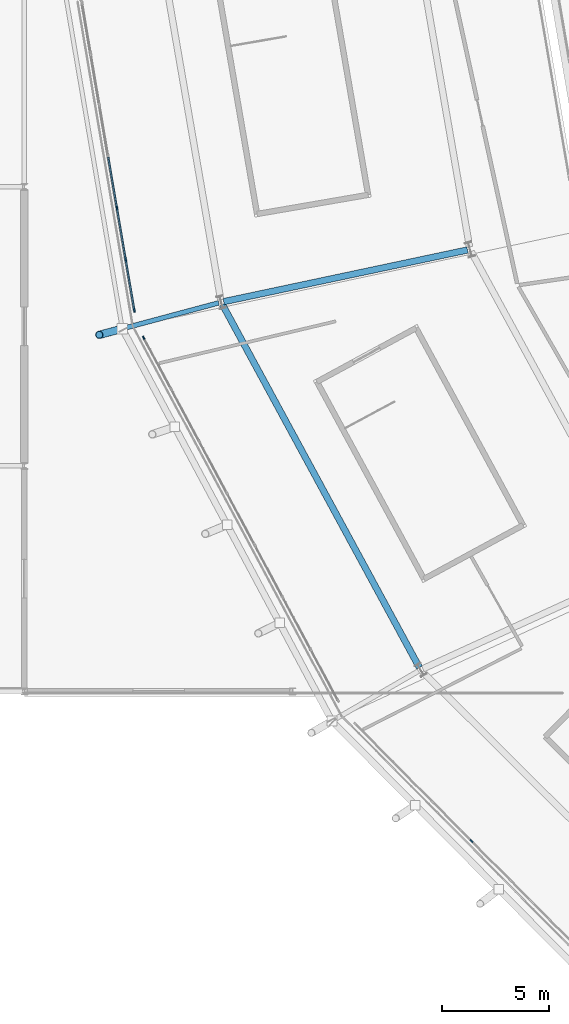
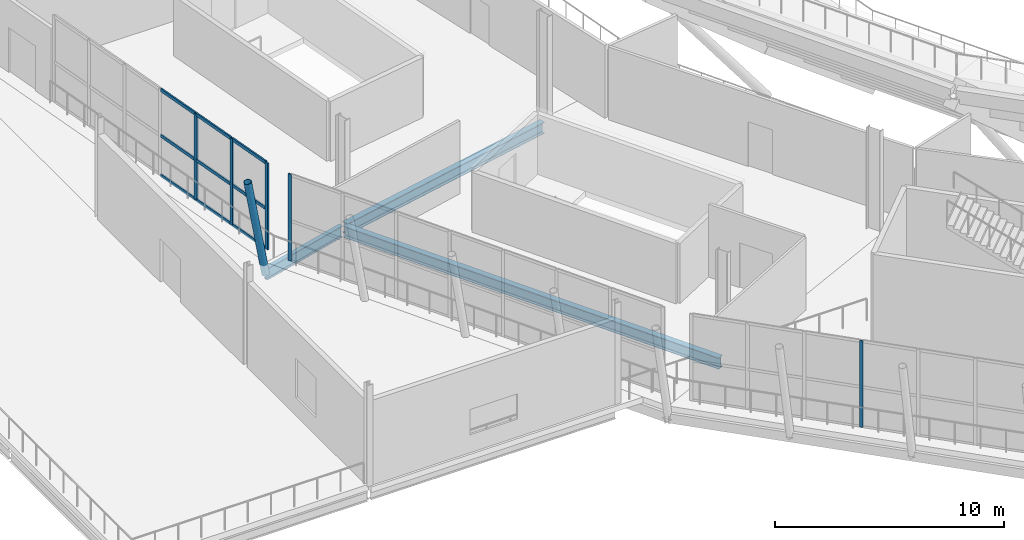
# One storey, part 18 of 126: 15 members, 3 beams, 3 elements without a shape of their own.
"""IFC4 building model written with IfcOpenShell, lengths in metres."""

from ifc_helpers import new_model, si_unit, direction, frame, origin, origin_2d, place, context, subcontext, project, spatial, rectangle, hollow_circle, i_section, extrude, material, material_profile, profile_set, type_object, element, aggregate, save


model = new_model("IFC4")

# Units and contexts
model_context = context("Model", 3, precision=1e-05, world=origin(), true_north=direction((0.0, 1.0)))
body_context = subcontext(model_context, "Body", "Model", "MODEL_VIEW")
ifc_project = project(units=[si_unit("LENGTHUNIT", "METRE"), si_unit("AREAUNIT", "SQUARE_METRE"), si_unit("VOLUMEUNIT", "CUBIC_METRE"), si_unit("PLANEANGLEUNIT", "RADIAN"), si_unit("MASSUNIT", "GRAM", prefix="KILO")], contexts=[model_context])

# Site, building, storey
site_placement = place(None, origin())
site = spatial("IfcSite", under=ifc_project, at=site_placement, CompositionType="ELEMENT")
building_placement = place(site_placement, origin())
building = spatial("IfcBuilding", under=site, at=building_placement, Name="Zlatoyarsky Gate Stadium", CompositionType="ELEMENT")
storey_placement = place(building_placement, frame((0.0, 0.0, 20.800048828125)))
storey = spatial("IfcBuildingStorey", under=building, at=storey_placement, Name="L04", CompositionType="ELEMENT", Elevation=20.800048828125)

# Curtain wall, members
ifc_material_1 = material(Name="Thermally broken anodised aluminium curtain wall", Category="aluminium")
curtain_wall_type_1 = type_object("IfcCurtainWallType", Name="MONUMENTAL ARCHED GATE GLAZING LOWER", PredefinedType="USERDEFINED", material=ifc_material_1)
curtain_wall_1_placement = place(storey_placement, origin())
curtain_wall_1 = element("IfcCurtainWall", 1, at=curtain_wall_1_placement, inside=storey, type_object=curtain_wall_type_1, Name="Curtain wall CW-L04-12", ObjectType="ARCHED GATE GLAZING", PredefinedType="USERDEFINED")
ifc_material_2 = material(Name="Anodised aluminium 6063-T6", Category="aluminium")
ifc_material_profile_1 = material_profile(ifc_material_2, rectangle(XDim=0.074951171875, YDim=0.18994140625, at=origin_2d()), Name="ALU 75X190")
ifc_profile_set_1 = profile_set([ifc_material_profile_1], Name="Anodised aluminium 6063-T6")
member_type_1 = type_object("IfcMemberType", Name="ALUMINIUM GATE MULLION 75X190", PredefinedType="MULLION", material=ifc_profile_set_1)
member_1_placement = place(storey_placement, frame((16.311767578125, 66.011962890625, 0.0), z_axis=(0.0, 0.0, 1.0), x_axis=(0.985817242516, 0.167822419114, 0.0)))
member_1 = element("IfcMember", 2, at=member_1_placement, type_object=member_type_1, Name="CW-AG1 mullion 5", PredefinedType="MULLION", context=body_context, shape_type="SweptSolid", body=[
    extrude(rectangle(XDim=0.074951171875, YDim=0.18994140625, at=origin_2d()), origin(), (0.0, 0.0, 1.0), 4.619873046875),
])
member_2_placement = place(storey_placement, frame((16.72021484375, 63.611572265625, 0.0), z_axis=(0.0, 0.0, 1.0), x_axis=(0.985817242516, 0.167822419114, 0.0)))
member_2 = element("IfcMember", 3, at=member_2_placement, type_object=member_type_1, Name="CW-AG1 mullion 6", PredefinedType="MULLION", context=body_context, shape_type="SweptSolid", body=[
    extrude(rectangle(XDim=0.074951171875, YDim=0.18994140625, at=origin_2d()), origin(), (0.0, 0.0, 1.0), 4.619873046875),
])
member_3_placement = place(storey_placement, frame((17.12255859375, 61.248291015625, 0.0), z_axis=(0.0, 0.0, 1.0), x_axis=(0.985817242516, 0.167822419114, 0.0)))
member_3 = element("IfcMember", 4, at=member_3_placement, type_object=member_type_1, Name="CW-AG1 mullion 7", PredefinedType="MULLION", context=body_context, shape_type="SweptSolid", body=[
    extrude(rectangle(XDim=0.074951171875, YDim=0.18994140625, at=origin_2d()), origin(), (0.0, 0.0, 1.0), 4.619873046875),
])
ifc_material_profile_2 = material_profile(ifc_material_2, rectangle(XDim=0.074951171875, YDim=0.169921875, at=origin_2d()), Name="ALU 75X170")
ifc_profile_set_2 = profile_set([ifc_material_profile_2], Name="Anodised aluminium 6063-T6")
member_type_2 = type_object("IfcMemberType", Name="ALUMINIUM GATE TRANSOM 75X170", PredefinedType="USERDEFINED", material=ifc_profile_set_2)
member_4_placement = place(storey_placement, frame((15.909423828125, 68.375244140625, 0.037353515625), z_axis=(0.167803626422, -0.985820441541, 0.0), x_axis=(0.985820441541, 0.167803626422, 0.0)))
member_4 = element("IfcMember", 5, at=member_4_placement, type_object=member_type_2, Name="CW-AG1 transom 4.1", ObjectType="TRANSOM", PredefinedType="USERDEFINED", context=body_context, shape_type="SweptSolid", body=[
    extrude(rectangle(XDim=0.074951171875, YDim=0.169921875, at=origin_2d()), origin(), (0.0, 0.0, 1.0), 2.35986328125),
])
member_5_placement = place(storey_placement, frame((15.909423828125, 68.375244140625, 2.14990234375), z_axis=(0.167803626422, -0.985820441541, 0.0), x_axis=(0.985820441541, 0.167803626422, 0.0)))
member_5 = element("IfcMember", 6, at=member_5_placement, type_object=member_type_2, Name="CW-AG1 transom 4.2", ObjectType="TRANSOM", PredefinedType="USERDEFINED", context=body_context, shape_type="SweptSolid", body=[
    extrude(rectangle(XDim=0.074951171875, YDim=0.169921875, at=origin_2d()), origin(), (0.0, 0.0, 1.0), 2.35986328125),
])
member_6_placement = place(storey_placement, frame((15.909423828125, 68.375244140625, 4.58251953125), z_axis=(0.167803626422, -0.985820441541, 0.0), x_axis=(0.985820441541, 0.167803626422, 0.0)))
member_6 = element("IfcMember", 7, at=member_6_placement, type_object=member_type_2, Name="CW-AG1 transom 4.3", ObjectType="TRANSOM", PredefinedType="USERDEFINED", context=body_context, shape_type="SweptSolid", body=[
    extrude(rectangle(XDim=0.074951171875, YDim=0.169921875, at=origin_2d()), origin(), (0.0, 0.0, 1.0), 2.35986328125),
])
member_7_placement = place(storey_placement, frame((16.31787109375, 65.97509765625, 0.037353515625), z_axis=(0.167904165482, -0.985803322785, 0.0), x_axis=(0.985803322785, 0.167904165482, 0.0)))
member_7 = element("IfcMember", 8, at=member_7_placement, type_object=member_type_2, Name="CW-AG1 transom 5.1", ObjectType="TRANSOM", PredefinedType="USERDEFINED", context=body_context, shape_type="SweptSolid", body=[
    extrude(rectangle(XDim=0.074951171875, YDim=0.169921875, at=origin_2d()), origin(), (0.0, 0.0, 1.0), 2.35986328125),
])
member_8_placement = place(storey_placement, frame((16.31787109375, 65.97509765625, 2.14990234375), z_axis=(0.167904165482, -0.985803322785, 0.0), x_axis=(0.985803322785, 0.167904165482, 0.0)))
member_8 = element("IfcMember", 9, at=member_8_placement, type_object=member_type_2, Name="CW-AG1 transom 5.2", ObjectType="TRANSOM", PredefinedType="USERDEFINED", context=body_context, shape_type="SweptSolid", body=[
    extrude(rectangle(XDim=0.074951171875, YDim=0.169921875, at=origin_2d()), origin(), (0.0, 0.0, 1.0), 2.35986328125),
])
member_9_placement = place(storey_placement, frame((16.31787109375, 65.97509765625, 4.58251953125), z_axis=(0.167904165482, -0.985803322785, 0.0), x_axis=(0.985803322785, 0.167904165482, 0.0)))
member_9 = element("IfcMember", 10, at=member_9_placement, type_object=member_type_2, Name="CW-AG1 transom 5.3", ObjectType="TRANSOM", PredefinedType="USERDEFINED", context=body_context, shape_type="SweptSolid", body=[
    extrude(rectangle(XDim=0.074951171875, YDim=0.169921875, at=origin_2d()), origin(), (0.0, 0.0, 1.0), 2.35986328125),
])
member_10_placement = place(storey_placement, frame((16.7265625, 63.57470703125, 0.037353515625), z_axis=(0.167790652567, -0.985822649827, 0.0), x_axis=(0.985822649827, 0.167790652567, 0.0)))
member_10 = element("IfcMember", 11, at=member_10_placement, type_object=member_type_2, Name="CW-AG1 transom 6.1", ObjectType="TRANSOM", PredefinedType="USERDEFINED", context=body_context, shape_type="SweptSolid", body=[
    extrude(rectangle(XDim=0.074951171875, YDim=0.169921875, at=origin_2d()), origin(), (0.0, 0.0, 1.0), 2.322265625),
])
member_11_placement = place(storey_placement, frame((16.7265625, 63.57470703125, 2.14990234375), z_axis=(0.167790652567, -0.985822649827, 0.0), x_axis=(0.985822649827, 0.167790652567, 0.0)))
member_11 = element("IfcMember", 12, at=member_11_placement, type_object=member_type_2, Name="CW-AG1 transom 6.2", ObjectType="TRANSOM", PredefinedType="USERDEFINED", context=body_context, shape_type="SweptSolid", body=[
    extrude(rectangle(XDim=0.074951171875, YDim=0.169921875, at=origin_2d()), origin(), (0.0, 0.0, 1.0), 2.322265625),
])
member_12_placement = place(storey_placement, frame((16.7265625, 63.57470703125, 4.58251953125), z_axis=(0.167790652567, -0.985822649827, 0.0), x_axis=(0.985822649827, 0.167790652567, 0.0)))
member_12 = element("IfcMember", 13, at=member_12_placement, type_object=member_type_2, Name="CW-AG1 transom 6.3", ObjectType="TRANSOM", PredefinedType="USERDEFINED", context=body_context, shape_type="SweptSolid", body=[
    extrude(rectangle(XDim=0.074951171875, YDim=0.169921875, at=origin_2d()), origin(), (0.0, 0.0, 1.0), 2.322265625),
])
aggregate(curtain_wall_1, [member_1, member_2, member_3, member_4, member_5, member_6, member_7, member_8, member_9, member_10, member_11, member_12])

# Curtain wall, member
curtain_wall_type_2 = type_object("IfcCurtainWallType", Name="UNITISED MEDIA RING GLAZING L04", PredefinedType="USERDEFINED", material=ifc_material_1)
curtain_wall_2_placement = place(storey_placement, origin())
curtain_wall_2 = element("IfcCurtainWall", 14, at=curtain_wall_2_placement, inside=storey, type_object=curtain_wall_type_2, Name="Curtain wall CW-L04-13", ObjectType="UNITISED GLAZING", PredefinedType="USERDEFINED")
ifc_material_profile_3 = material_profile(ifc_material_2, rectangle(XDim=0.06494140625, YDim=0.159912109375, at=origin_2d()), Name="ALU 65X160")
ifc_profile_set_3 = profile_set([ifc_material_profile_3], Name="Anodised aluminium 6063-T6")
member_type_3 = type_object("IfcMemberType", Name="ALUMINIUM MULLION 65X160", PredefinedType="MULLION", material=ifc_profile_set_3)
member_13_placement = place(storey_placement, frame((17.560302734375, 59.968994140625, 0.0), z_axis=(0.0, 0.0, 1.0), x_axis=(0.881520920878, 0.472144962966, 0.0)))
member_13 = element("IfcMember", 15, at=member_13_placement, type_object=member_type_3, Name="CW-UG4 mullion 1", PredefinedType="MULLION", context=body_context, shape_type="SweptSolid", body=[
    extrude(rectangle(XDim=0.06494140625, YDim=0.159912109375, at=origin_2d()), origin(), (0.0, 0.0, 1.0), 4.619873046875),
])
aggregate(curtain_wall_2, [member_13])

curtain_wall_3_placement = place(storey_placement, origin())
curtain_wall_3 = element("IfcCurtainWall", 16, at=curtain_wall_3_placement, inside=storey, type_object=curtain_wall_type_2, Name="Curtain wall CW-L04-14", ObjectType="UNITISED GLAZING", PredefinedType="USERDEFINED")
member_14_placement = place(storey_placement, frame((32.83447265625, 36.51953125, 0.0), z_axis=(0.0, 0.0, 1.0), x_axis=(0.709870536386, 0.704332181269, 0.0)))
member_14 = element("IfcMember", 17, at=member_14_placement, type_object=member_type_3, Name="CW-UG4 mullion 4", PredefinedType="MULLION", context=body_context, shape_type="SweptSolid", body=[
    extrude(rectangle(XDim=0.06494140625, YDim=0.159912109375, at=origin_2d()), origin(), (0.0, 0.0, 1.0), 4.619873046875),
])
aggregate(curtain_wall_3, [member_14])

# Beam
ifc_material_3 = material(Name="Steel S355", Category="steel")
ifc_material_profile_4 = material_profile(ifc_material_3, i_section(OverallWidth=0.219970703125, OverallDepth=0.60009765625, WebThickness=0.011962890625, FlangeThickness=0.01904296875, FilletRadius=0.02392578125, at=origin_2d()), Name="IPE 600")
ifc_profile_set_4 = profile_set([ifc_material_profile_4], Name="Steel S355")
beam_type_1 = type_object("IfcBeamType", Name="STEEL CANTILEVER FLOOR BEAM IPE 600", PredefinedType="BEAM", material=ifc_profile_set_4)
beam_1_placement = place(storey_placement, frame((21.052978515625, 61.5927734375, -0.60009765625), z_axis=(-0.965928364246, -0.258809573134, 0.0), x_axis=(0.258809573134, -0.965928364246, 0.0)))
element("IfcBeam", 18, at=beam_1_placement, inside=storey, type_object=beam_type_1, Name="Beam B-IPE600 BM-L04-OUT-13", PredefinedType="BEAM", context=body_context, shape_type="SweptSolid", body=[
    extrude(i_section(OverallWidth=0.219970703125, OverallDepth=0.60009765625, WebThickness=0.011962890625, FlangeThickness=0.01904296875, FilletRadius=0.02392578125, at=origin_2d()), origin(), (0.0, 0.0, 1.0), 4.649658203125),
])

# Member
ifc_material_profile_5 = material_profile(ifc_material_3, hollow_circle(Radius=0.177734375, WallThickness=0.02001953125, at=origin_2d()), Name="CHS 355.6X20")
ifc_profile_set_5 = profile_set([ifc_material_profile_5], Name="Steel S355")
member_type_4 = type_object("IfcMemberType", Name="STEEL LEANING RIB RING STRUT CHS 355.6X20", PredefinedType="STRUT", material=ifc_profile_set_5)
member_15_placement = place(storey_placement, frame((16.561767578125, 60.389404296875, -0.60009765625), z_axis=(-0.192834107222, -0.051671625082, 0.979869914965), x_axis=(0.25882783967, -0.965923469749, 0.0)))
element("IfcMember", 19, at=member_15_placement, inside=storey, type_object=member_type_4, Name="Leaning ring strut 13 L04 to L05", PredefinedType="STRUT", context=body_context, shape_type="SweptSolid", body=[
    extrude(hollow_circle(Radius=0.177734375, WallThickness=0.02001953125, at=origin_2d()), origin(), (0.0, 0.0, 1.0), 5.5517578125),
])

# Beams
ifc_material_profile_6 = material_profile(ifc_material_3, i_section(OverallWidth=0.300048828125, OverallDepth=0.60009765625, WebThickness=0.015380859375, FlangeThickness=0.030029296875, FilletRadius=0.027099609375, at=origin_2d()), Name="HEB 600")
ifc_profile_set_6 = profile_set([ifc_material_profile_6], Name="Steel S355")
beam_type_2 = type_object("IfcBeamType", Name="STEEL PRIMARY GIRDER HEB 600", PredefinedType="BEAM", material=ifc_profile_set_6)
beam_2_placement = place(storey_placement, frame((32.642578125, 64.0576171875, -0.60009765625), z_axis=(-0.978233348926, -0.207507867438, 0.0), x_axis=(0.207507867438, -0.978233348926, 0.0)))
element("IfcBeam", 20, at=beam_2_placement, inside=storey, type_object=beam_type_2, Name="Beam G-HEB600 BM-L04-RBC-13", PredefinedType="BEAM", context=body_context, shape_type="SweptSolid", body=[
    extrude(i_section(OverallWidth=0.300048828125, OverallDepth=0.60009765625, WebThickness=0.015380859375, FlangeThickness=0.030029296875, FilletRadius=0.027099609375, at=origin_2d()), origin(), (0.0, 0.0, 1.0), 11.60888671875),
])
beam_3_placement = place(storey_placement, frame((21.22607421875, 61.518310546875, -0.60009765625), z_axis=(0.476891650323, -0.878962088973, 0.0), x_axis=(0.878962088973, 0.476891650323, 0.0)))
element("IfcBeam", 21, at=beam_3_placement, inside=storey, type_object=beam_type_2, Name="Beam G-HEB600 BM-L04-CRC-13", PredefinedType="BEAM", context=body_context, shape_type="SweptSolid", body=[
    extrude(i_section(OverallWidth=0.300048828125, OverallDepth=0.60009765625, WebThickness=0.015380859375, FlangeThickness=0.030029296875, FilletRadius=0.027099609375, at=origin_2d()), origin(), (0.0, 0.0, 1.0), 19.241943359375),
])

save(model, "model.ifc")
